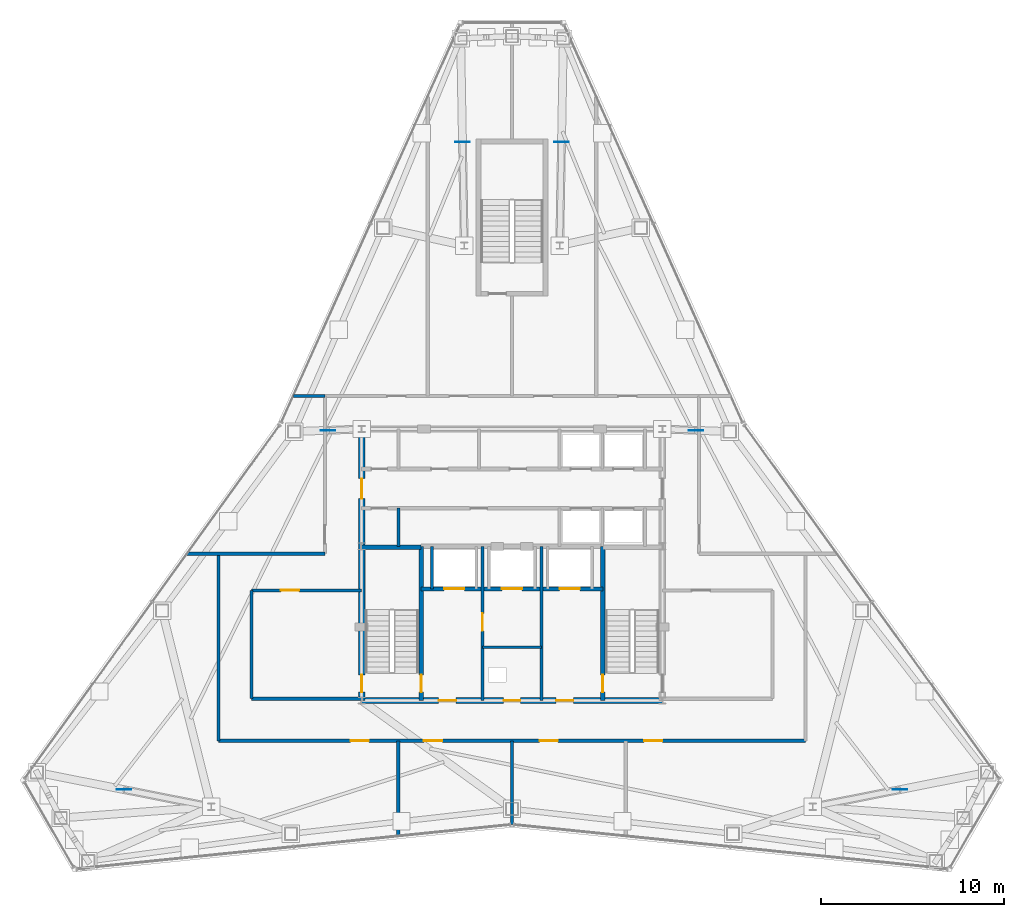
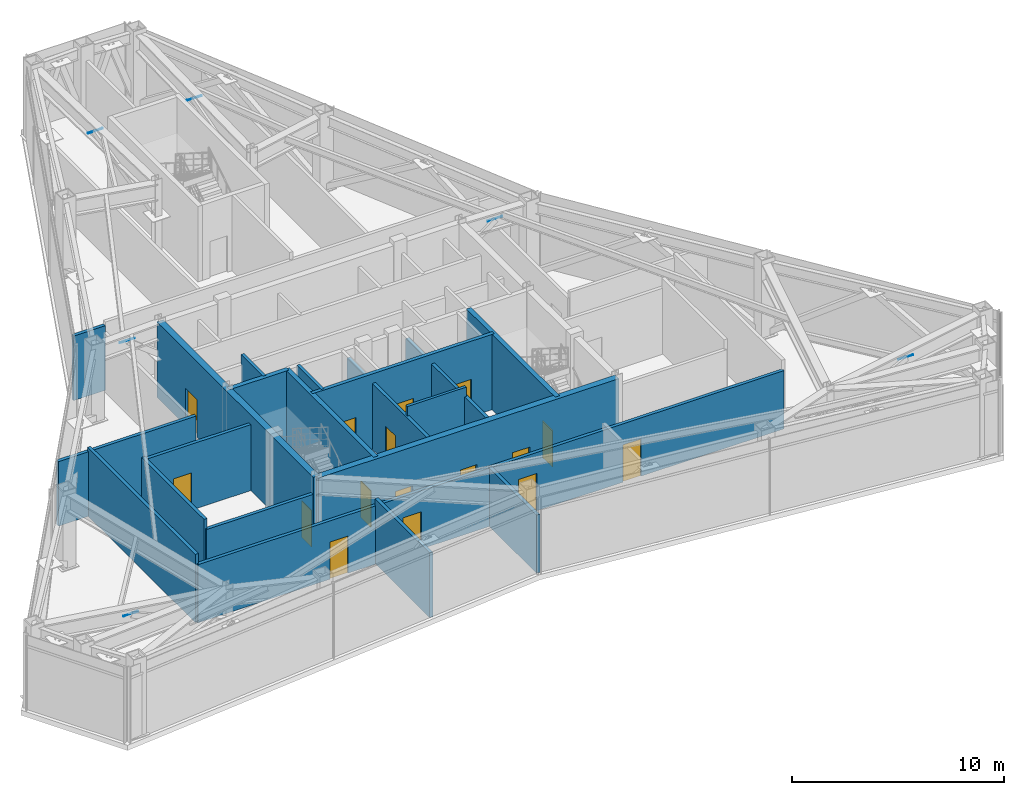
# One storey, part 9 of 12: 20 walls, 16 doors, 6 plates, 16 openings.
"""IFC4 building model written with IfcOpenShell, lengths in metres."""

import ifcopenshell
import ifcopenshell.guid

model = None  # the IFC model being written
_history = None  # IfcOwnerHistory: only IFC2X3 demands one
_inside = {}  # id of a spatial element -> (the spatial element, [elements in it])
_under = {}  # id of a project, library or spatial element -> (it, [spatial elements below it])
_declared = {}  # id of a project -> (the project, [libraries it declares])
_typed = {}  # id of a type object -> (the type object, [elements of that type])
_made_of = {}  # id of a material, layer set ... -> (it, [elements and type objects made of it])


def new_model(schema):
    """Start an empty IFC model of exactly this schema.

    Asked for "IFC4X3", IfcOpenShell would pick the latest addendum, in which some entities
    have other attributes; the version numbers below select the first issue.
    IFC2X3 requires an IfcOwnerHistory on every rooted entity: one is made here for all.
    """
    global model, _history
    if schema == "IFC4X3":
        model = ifcopenshell.file(schema_version=(4, 3, 0, 0))
    else:
        model = ifcopenshell.file(schema=schema)
    _inside.clear()
    _under.clear()
    _declared.clear()
    _typed.clear()
    _made_of.clear()
    _history = None
    if model.schema == "IFC2X3":
        org = make("IfcOrganization", Name="unknown")
        user = make(
            "IfcPersonAndOrganization",
            ThePerson=make("IfcPerson", FamilyName="unknown"),
            TheOrganization=org,
        )
        app = make(
            "IfcApplication",
            ApplicationDeveloper=org,
            Version="unknown",
            ApplicationFullName="unknown",
            ApplicationIdentifier="unknown",
        )
        _history = make(
            "IfcOwnerHistory",
            OwningUser=user,
            OwningApplication=app,
            ChangeAction="ADDED",
            CreationDate=0,
        )
    return model


def make(cls, **values):
    """One entity of the class cls with the attributes given. An attribute that is None is left unset."""
    return model.create_entity(
        cls, **{name: value for name, value in values.items() if value is not None}
    )


def rooted(cls, **values):
    """An entity with a GlobalId (a new one), such as an element, a storey or a relation."""
    return make(cls, GlobalId=ifcopenshell.guid.new(), OwnerHistory=_history, **values)


def si_unit(unit_type, name, prefix=None):
    """IfcSIUnit, for example si_unit("LENGTHUNIT", "METRE", prefix="MILLI")."""
    return make("IfcSIUnit", UnitType=unit_type, Prefix=prefix, Name=name)


def assignment(units):
    """IfcUnitAssignment: the units of a project."""
    return None if units is None else make("IfcUnitAssignment", Units=units)


def point(xyz):
    """IfcCartesianPoint."""
    return None if xyz is None else make("IfcCartesianPoint", Coordinates=xyz)


def direction(xyz):
    """IfcDirection."""
    return None if xyz is None else make("IfcDirection", DirectionRatios=xyz)


def frame(location, z_axis=None, x_axis=None):
    """IfcAxis2Placement3D, a coordinate frame: its origin and axes. An axis left out is left unset."""
    return make(
        "IfcAxis2Placement3D",
        Location=point(location),
        Axis=direction(z_axis),
        RefDirection=direction(x_axis),
    )


def frame_2d(location, x_axis=None):
    """IfcAxis2Placement2D, a coordinate frame in the plane: its origin and x axis."""
    return make(
        "IfcAxis2Placement2D", Location=point(location), RefDirection=direction(x_axis)
    )


def origin():
    """The frame at (0, 0, 0) with its axes left unset."""
    return frame((0.0, 0.0, 0.0))


def origin_2d():
    """The frame at (0, 0) in the plane with its x axis left unset."""
    return frame_2d((0.0, 0.0))


def place(relative_to, where):
    """IfcLocalPlacement: puts the frame where relative to a parent placement (None: the world)."""
    return make(
        "IfcLocalPlacement", PlacementRelTo=relative_to, RelativePlacement=where
    )


def context(
    kind, dimensions, precision=None, world=None, true_north=None, identifier=None
):
    """IfcGeometricRepresentationContext, for example the 3D "Model" context."""
    return make(
        "IfcGeometricRepresentationContext",
        ContextIdentifier=identifier,
        ContextType=kind,
        CoordinateSpaceDimension=dimensions,
        Precision=precision,
        WorldCoordinateSystem=world,
        TrueNorth=true_north,
    )


def subcontext(parent, identifier, kind, view, scale=None):
    """IfcGeometricRepresentationSubContext, for example "Body" below "Model"."""
    return make(
        "IfcGeometricRepresentationSubContext",
        ContextIdentifier=identifier,
        ContextType=kind,
        ParentContext=parent,
        TargetScale=scale,
        TargetView=view,
    )


def project(units=None, contexts=None):
    """IfcProject with its units and contexts."""
    return rooted(
        "IfcProject",
        Name="project",
        RepresentationContexts=contexts,
        UnitsInContext=assignment(units),
    )


def spatial(cls, under=None, at=None, **own):
    """A site, building, storey or space (cls), placed at a placement, below another one or the project."""
    s = rooted(cls, ObjectPlacement=at, **own)
    if under is not None:
        _under.setdefault(under.id(), (under, []))[1].append(s)
    return s


def profile(cls, at=None, kind="AREA", **sizes):
    """A parametric profile (cls). Its sizes go by their IFC names, for example OverallWidth=200.0."""
    return make(cls, ProfileType=kind, Position=at, **sizes)


def rectangle(**sizes):
    """IfcRectangleProfileDef."""
    return profile("IfcRectangleProfileDef", **sizes)


def extrude(swept, where, along, depth):
    """IfcExtrudedAreaSolid: the profile swept, set in the frame where, extruded along a direction by depth."""
    return make(
        "IfcExtrudedAreaSolid",
        SweptArea=swept,
        Position=where,
        ExtrudedDirection=direction(along),
        Depth=depth,
    )


def shape(context_of_items, identifier, shape_type, items):
    """IfcShapeRepresentation: the items that make up one representation, for example the "Body"."""
    return make(
        "IfcShapeRepresentation",
        ContextOfItems=context_of_items,
        RepresentationIdentifier=identifier,
        RepresentationType=shape_type,
        Items=items,
    )


def source(mapping_origin, context_of_items, identifier, shape_type, items):
    """IfcRepresentationMap: a shape defined once, which mapped items show again and again."""
    return make(
        "IfcRepresentationMap",
        MappingOrigin=mapping_origin,
        MappedRepresentation=shape(context_of_items, identifier, shape_type, items),
    )


def transform(
    local_origin,
    x_axis=None,
    y_axis=None,
    z_axis=None,
    scale=None,
    scale2=None,
    scale3=None,
    uniform=True,
):
    """IfcCartesianTransformationOperator3D, or its non-uniform kind. x_axis, y_axis, z_axis: its Axis1, 2, 3."""
    if uniform:
        return make(
            "IfcCartesianTransformationOperator3D",
            Axis1=direction(x_axis),
            Axis2=direction(y_axis),
            LocalOrigin=point(local_origin),
            Scale=scale,
            Axis3=direction(z_axis),
        )
    return make(
        "IfcCartesianTransformationOperator3DnonUniform",
        Axis1=direction(x_axis),
        Axis2=direction(y_axis),
        LocalOrigin=point(local_origin),
        Scale=scale,
        Axis3=direction(z_axis),
        Scale2=scale2,
        Scale3=scale3,
    )


def mapped(mapping_source, mapping_target):
    """IfcMappedItem: shows the shape of a source again, moved by a transform."""
    return make(
        "IfcMappedItem", MappingSource=mapping_source, MappingTarget=mapping_target
    )


def material(Name=None, Category=None):
    """IfcMaterial."""
    return make("IfcMaterial", Name=Name, Category=Category)


def layer(
    of_material, thickness, ventilated=None, Name=None, Category=None, Priority=None
):
    """IfcMaterialLayer: one layer of a wall or slab, of a material (None: an air gap)."""
    return make(
        "IfcMaterialLayer",
        Material=of_material,
        LayerThickness=thickness,
        IsVentilated=ventilated,
        Name=Name,
        Category=Category,
        Priority=Priority,
    )


def layer_set(layers, Name=None):
    """IfcMaterialLayerSet."""
    return make("IfcMaterialLayerSet", MaterialLayers=layers, LayerSetName=Name)


def made_of(thing, what):
    """Note that an element or type object is made of a material, layer set ...; save() writes the relation."""
    if what is not None:
        _made_of.setdefault(what.id(), (what, []))[1].append(thing)
    return thing


def type_object(cls, material=None, **own):
    """A type object (cls), such as IfcWallType, which elements share."""
    return made_of(rooted(cls, **own), material)


def type_shapes(of_type, sources):
    """Give a type object the sources (RepresentationMaps) that its elements show as mapped items."""
    of_type.RepresentationMaps = sources


def element(
    cls,
    number,
    at=None,
    inside=None,
    cuts=None,
    type_object=None,
    material=None,
    context=None,
    identifier="Body",
    shape_type=None,
    held_by="IfcProductDefinitionShape",
    body=None,
    shapes=None,
    **own,
):
    """One element of the class cls, such as IfcWall. Its Tag is "e" and its number.

    at: its placement. inside: the storey or other place that contains it. cuts: it is an
    opening in that element (IfcRelVoidsElement). A single representation is given by context,
    identifier, shape_type and body (its items); several are given by shapes. held_by: the class
    of the entity that holds the representations. save() writes the other relations.
    """
    e = rooted(cls, Tag="e%d" % number, ObjectPlacement=at, **own)
    if body is not None:
        shapes = [shape(context, identifier, shape_type, body)]
    if shapes is not None:
        e.Representation = make(held_by, Representations=shapes)
    if inside is not None:
        _inside.setdefault(inside.id(), (inside, []))[1].append(e)
    if cuts is not None:
        rooted(
            "IfcRelVoidsElement", RelatingBuildingElement=cuts, RelatedOpeningElement=e
        )
    if type_object is not None:
        _typed.setdefault(type_object.id(), (type_object, []))[1].append(e)
    return made_of(e, material)


def fill(opening, filler):
    """IfcRelFillsElement: the door or window that sits in an opening."""
    return rooted(
        "IfcRelFillsElement",
        RelatingOpeningElement=opening,
        RelatedBuildingElement=filler,
    )


def aggregate(whole, parts):
    """IfcRelAggregates: a whole, such as a stair, and the parts it consists of."""
    return rooted("IfcRelAggregates", RelatingObject=whole, RelatedObjects=parts)


def save(model, path):
    """Write the relations noted so far, then the file.

    IfcRelAggregates (storeys below a building ...), IfcRelContainedInSpatialStructure (elements
    in a storey), IfcRelDefinesByType, IfcRelAssociatesMaterial and IfcRelDeclares: one each for
    every whole, place, type object, material and project.
    """
    for whole, parts in _under.values():
        aggregate(whole, parts)
    for where, things in _inside.values():
        rooted(
            "IfcRelContainedInSpatialStructure",
            RelatedElements=things,
            RelatingStructure=where,
        )
    for kind, things in _typed.values():
        rooted("IfcRelDefinesByType", RelatedObjects=things, RelatingType=kind)
    for what, things in _made_of.values():
        rooted("IfcRelAssociatesMaterial", RelatedObjects=things, RelatingMaterial=what)
    for by, libraries in _declared.values():
        rooted("IfcRelDeclares", RelatingContext=by, RelatedDefinitions=libraries)
    model.write(path)


model = new_model("IFC4")

# Units and contexts
model_context = context("Model", 3, precision=1e-05, world=origin(), true_north=direction((0.0, 1.0)))
body_context = subcontext(model_context, "Body", "Model", "MODEL_VIEW")
ifc_project = project(units=[si_unit("LENGTHUNIT", "METRE"), si_unit("AREAUNIT", "SQUARE_METRE"), si_unit("VOLUMEUNIT", "CUBIC_METRE"), si_unit("PLANEANGLEUNIT", "RADIAN"), si_unit("MASSUNIT", "GRAM", prefix="KILO")], contexts=[model_context])

# Site, building, storey
site_placement = place(None, origin())
site = spatial("IfcSite", under=ifc_project, at=site_placement, CompositionType="ELEMENT")
building_placement = place(site_placement, origin())
building = spatial("IfcBuilding", under=site, at=building_placement, Name="Varakhsha Concourse Tower", CompositionType="ELEMENT")
storey_placement = place(building_placement, frame((0.0, 0.0, 250.39990234375)))
storey = spatial("IfcBuildingStorey", under=building, at=storey_placement, Name="L71", CompositionType="ELEMENT", Elevation=250.39990234375)

# Plates
ifc_material_1 = material(Name="Structural Steel ASTM A572 Grade 50", Category="steel")
ifc_layer_1 = layer(ifc_material_1, 0.031982421875, Name="PL-GUSSET-800")
ifc_layer_set_1 = layer_set([ifc_layer_1], Name="Structural Steel ASTM A572 Grade 50")
plate_type = type_object("IfcPlateType", Name="PL-GUSSET-800", PredefinedType="USERDEFINED", material=ifc_layer_set_1)
shared_shape = source(origin(), body_context, "Body", "SweptSolid", [
    extrude(rectangle(XDim=0.800048828125, YDim=0.031982421875, at=origin_2d()), origin(), (0.0, 0.0, 1.0), 0.031982421875),
])
type_shapes(plate_type, [shared_shape])
for number, where, z_axis, x_axis, name in (
    (1, (42.7001953125, 46.844970703125, 3.88427734375), (0.0, 0.0, 1.0), (1.0, 0.0, 0.0), "Hollow Section End Cap GP-L71-01"),
    (2, (37.2998046875, 46.844970703125, 3.88427734375), (0.0, 0.0, 1.0), (1.0, 0.0, 0.0), "Hollow Section End Cap GP-L71-02"),
    (3, (29.962890625, 31.127685546875, 3.88427734375), (0.0, 0.0, 1.0), (1.0, 0.0, 0.0), "Hollow Section End Cap GP-L71-03"),
    (4, (18.85009765625, 11.5400390625, 3.88427734375), (0.0, 0.0, 1.0), (1.0, 0.0, 0.0), "Hollow Section End Cap GP-L71-04"),
    (5, (61.14990234375, 11.5400390625, 3.88427734375), (0.0, 0.0, 1.0), (1.0, 0.0, 0.0), "Hollow Section End Cap GP-L71-08"),
    (6, (50.037109375, 31.127685546875, 3.88427734375), (0.0, 0.0, 1.0), (1.0, 0.0, 0.0), "Hollow Section End Cap GP-L71-09"),
):
    element("IfcPlate", number, at=place(storey_placement, frame(where, z_axis=z_axis, x_axis=x_axis)), inside=storey, type_object=plate_type, Name=name, ObjectType="GUSSET PLATE", PredefinedType="USERDEFINED", context=body_context, shape_type="MappedRepresentation", body=[
        mapped(shared_shape, transform((0.0, 0.0, 0.0), scale=1.0)),
    ])

# Wall, openings, doors
ifc_material_2 = material(Name="Concrete fc 65 MPa", Category="concrete")
ifc_layer_2 = layer(ifc_material_2, 0.35009765625, Name="WL-CORE-350")
ifc_layer_set_2 = layer_set([ifc_layer_2], Name="Concrete fc 65 MPa")
wall_type_1 = type_object("IfcWallType", Name="WL-CORE-350", PredefinedType="SHEAR", material=ifc_layer_set_2)
wall_1_placement = place(storey_placement, frame((31.800048828125, 16.39990234375, 0.0), z_axis=(0.0, 0.0, 1.0), x_axis=(1.0, 0.0, 0.0)))
wall_1 = element("IfcWall", 7, at=wall_1_placement, inside=storey, type_object=wall_type_1, Name="L71 Wall CWALL-S-L71", PredefinedType="SHEAR", context=body_context, shape_type="SweptSolid", body=[
    extrude(rectangle(XDim=16.39990234375, YDim=0.35009765625, at=frame_2d((8.199951171875, 0.0))), origin(), (0.0, 0.0, 1.0), 4.35009765625),
])
opening_1_placement = place(wall_1_placement, frame((7.75, 0.0, 0.0)))
opening_1 = element("IfcOpeningElement", 8, at=opening_1_placement, cuts=wall_1, Name="Opening DF-06", PredefinedType="OPENING", context=body_context, shape_type="SweptSolid", body=[
    extrude(rectangle(XDim=0.89990234375, YDim=2.10009765625, at=frame_2d((0.449951171875, 1.050048828125))), frame((0.0, 0.18505859375, 0.0), z_axis=(0.0, -1.0, 0.0), x_axis=(1.0, 0.0, 0.0)), (0.0, 0.0, 1.0), 0.3701171875),
])
opening_2_placement = place(wall_1_placement, frame((4.199951171875, 0.0, 0.0)))
opening_2 = element("IfcOpeningElement", 9, at=opening_2_placement, cuts=wall_1, Name="Opening DF-05", PredefinedType="OPENING", context=body_context, shape_type="SweptSolid", body=[
    extrude(rectangle(XDim=0.949951171875, YDim=2.10009765625, at=frame_2d((0.47509765625, 1.050048828125))), frame((0.0, 0.18505859375, 0.0), z_axis=(0.0, -1.0, 0.0), x_axis=(1.0, 0.0, 0.0)), (0.0, 0.0, 1.0), 0.3701171875),
])
opening_3_placement = place(wall_1_placement, frame((10.60009765625, 0.0, 0.0)))
opening_3 = element("IfcOpeningElement", 10, at=opening_3_placement, cuts=wall_1, Name="Opening DF-05", PredefinedType="OPENING", context=body_context, shape_type="SweptSolid", body=[
    extrude(rectangle(XDim=0.949951171875, YDim=2.10009765625, at=frame_2d((0.47509765625, 1.050048828125))), frame((0.0, 0.18505859375, 0.0), z_axis=(0.0, -1.0, 0.0), x_axis=(1.0, 0.0, 0.0)), (0.0, 0.0, 1.0), 0.3701171875),
])
ifc_material_3 = material(Name="Hollow Galvanised Steel Fire Door Assembly", Category="steel")
door_type_1 = type_object("IfcDoorType", Name="DR-FD60-900", OperationType="NOTDEFINED", PredefinedType="DOOR", material=ifc_material_3)
door_1_placement = place(opening_1_placement, origin())
door_1 = element("IfcDoor", 11, at=door_1_placement, inside=storey, type_object=door_type_1, Name="L71 Electrical Riser Access Door", OperationType="SINGLE_SWING_LEFT", OverallHeight=2.10009765625, OverallWidth=0.89990234375, PredefinedType="DOOR", context=body_context, shape_type="SweptSolid", body=[
    extrude(rectangle(XDim=0.89990234375, YDim=2.10009765625, at=frame_2d((0.449951171875, 1.050048828125))), frame((0.0, 0.02490234375, 0.0), z_axis=(0.0, -1.0, 0.0), x_axis=(1.0, 0.0, 0.0)), (0.0, 0.0, 1.0), 0.050048828125),
])
fill(opening_1, door_1)
door_type_2 = type_object("IfcDoorType", Name="DR-FD60-950", OperationType="NOTDEFINED", PredefinedType="DOOR", material=ifc_material_3)
door_2_placement = place(opening_2_placement, origin())
door_2 = element("IfcDoor", 12, at=door_2_placement, inside=storey, type_object=door_type_2, Name="L71 Firefighting Lobby West Door", OperationType="SINGLE_SWING_RIGHT", OverallHeight=2.10009765625, OverallWidth=0.949951171875, PredefinedType="DOOR", context=body_context, shape_type="SweptSolid", body=[
    extrude(rectangle(XDim=0.949951171875, YDim=2.10009765625, at=frame_2d((0.47509765625, 1.050048828125))), frame((0.0, 0.02490234375, 0.0), z_axis=(0.0, -1.0, 0.0), x_axis=(1.0, 0.0, 0.0)), (0.0, 0.0, 1.0), 0.050048828125),
])
fill(opening_2, door_2)
door_3_placement = place(opening_3_placement, origin())
door_3 = element("IfcDoor", 13, at=door_3_placement, inside=storey, type_object=door_type_2, Name="L71 Firefighting Lobby East Door", OperationType="SINGLE_SWING_LEFT", OverallHeight=2.10009765625, OverallWidth=0.949951171875, PredefinedType="DOOR", context=body_context, shape_type="SweptSolid", body=[
    extrude(rectangle(XDim=0.949951171875, YDim=2.10009765625, at=frame_2d((0.47509765625, 1.050048828125))), frame((0.0, 0.02490234375, 0.0), z_axis=(0.0, -1.0, 0.0), x_axis=(1.0, 0.0, 0.0)), (0.0, 0.0, 1.0), 0.050048828125),
])
fill(opening_3, door_3)

wall_2_placement = place(storey_placement, frame((31.800048828125, 16.39990234375, 0.0), z_axis=(0.0, 0.0, 1.0), x_axis=(0.0, 1.0, 0.0)))
wall_2 = element("IfcWall", 14, at=wall_2_placement, inside=storey, type_object=wall_type_1, Name="L71 Wall CWALL-W-L71", PredefinedType="SHEAR", context=body_context, shape_type="SweptSolid", body=[
    extrude(rectangle(XDim=14.800048828125, YDim=0.35009765625, at=frame_2d((7.39990234375, 0.0))), origin(), (0.0, 0.0, 1.0), 4.35009765625),
])
opening_4_placement = place(wall_2_placement, frame((11.0, 0.0, 0.0)))
opening_4 = element("IfcOpeningElement", 15, at=opening_4_placement, cuts=wall_2, Name="Opening DL-01", PredefinedType="OPENING", context=body_context, shape_type="SweptSolid", body=[
    extrude(rectangle(XDim=1.10009765625, YDim=2.14990234375, at=frame_2d((0.550048828125, 1.074951171875))), frame((0.0, 0.18505859375, 0.0), z_axis=(0.0, -1.0, 0.0), x_axis=(1.0, 0.0, 0.0)), (0.0, 0.0, 1.0), 0.3701171875),
])
opening_5_placement = place(wall_2_placement, frame((0.449951171875, 0.0, 0.0)))
opening_5 = element("IfcOpeningElement", 16, at=opening_5_placement, cuts=wall_2, Name="Opening DF-03", PredefinedType="OPENING", context=body_context, shape_type="SweptSolid", body=[
    extrude(rectangle(XDim=0.949951171875, YDim=2.10009765625, at=frame_2d((0.47509765625, 1.050048828125))), frame((0.0, 0.18505859375, 0.0), z_axis=(0.0, -1.0, 0.0), x_axis=(1.0, 0.0, 0.0)), (0.0, 0.0, 1.0), 0.3701171875),
])
door_type_3 = type_object("IfcDoorType", Name="DR-FD90-950", OperationType="NOTDEFINED", PredefinedType="DOOR", material=ifc_material_3)
door_4_placement = place(opening_5_placement, origin())
door_4 = element("IfcDoor", 17, at=door_4_placement, inside=storey, type_object=door_type_3, Name="L71 Area of Refuge West Stair ST1 Door", OperationType="SINGLE_SWING_LEFT", OverallHeight=2.10009765625, OverallWidth=0.949951171875, PredefinedType="DOOR", context=body_context, shape_type="SweptSolid", body=[
    extrude(rectangle(XDim=0.949951171875, YDim=2.10009765625, at=frame_2d((0.47509765625, 1.050048828125))), frame((0.0, 0.02490234375, 0.0), z_axis=(0.0, -1.0, 0.0), x_axis=(1.0, 0.0, 0.0)), (0.0, 0.0, 1.0), 0.050048828125),
])
fill(opening_5, door_4)
ifc_material_4 = material(Name="Anodised Bronze Architectural Aluminium AA 6063-T6", Category="aluminium")
door_type_4 = type_object("IfcDoorType", Name="DR-LOB-1100", OperationType="NOTDEFINED", PredefinedType="DOOR", material=ifc_material_4)
door_5_placement = place(opening_4_placement, origin())
door_5 = element("IfcDoor", 18, at=door_5_placement, inside=storey, type_object=door_type_4, Name="L71 Lift Lobby West Concourse Door", OperationType="SINGLE_SWING_LEFT", OverallHeight=2.14990234375, OverallWidth=1.10009765625, PredefinedType="DOOR", context=body_context, shape_type="SweptSolid", body=[
    extrude(rectangle(XDim=1.10009765625, YDim=2.14990234375, at=frame_2d((0.550048828125, 1.074951171875))), frame((0.0, 0.02490234375, 0.0), z_axis=(0.0, -1.0, 0.0), x_axis=(1.0, 0.0, 0.0)), (0.0, 0.0, 1.0), 0.050048828125),
])
fill(opening_4, door_5)

# Wall, opening, door
ifc_material_5 = material(Name="Fire-Rated Type X Gypsum Partition Assembly", Category="gypsum")
ifc_layer_3 = layer(ifc_material_5, 0.179931640625, Name="WL-FFLOB-180")
ifc_layer_set_3 = layer_set([ifc_layer_3], Name="Fire-Rated Type X Gypsum Partition Assembly")
wall_type_2 = type_object("IfcWallType", Name="WL-FFLOB-180", PredefinedType="PARTITIONING", material=ifc_layer_set_3)
wall_3_placement = place(storey_placement, frame((38.389892578125, 16.39990234375, 0.0), z_axis=(0.0, 0.0, 1.0), x_axis=(0.0, 1.0, 0.0)))
wall_3 = element("IfcWall", 19, at=wall_3_placement, inside=storey, type_object=wall_type_2, Name="L71 Wall FFW-1E-L71", PredefinedType="PARTITIONING", context=body_context, shape_type="SweptSolid", body=[
    extrude(rectangle(XDim=8.400146484375, YDim=0.179931640625, at=frame_2d((4.2001953125, 0.0))), origin(), (0.0, 0.0, 1.0), 3.80517578125),
])
opening_6_placement = place(wall_3_placement, frame((3.800048828125, 0.0, 0.0)))
opening_6 = element("IfcOpeningElement", 20, at=opening_6_placement, cuts=wall_3, Name="Opening DF-05", PredefinedType="OPENING", context=body_context, shape_type="SweptSolid", body=[
    extrude(rectangle(XDim=0.949951171875, YDim=2.10009765625, at=frame_2d((0.47509765625, 1.050048828125))), frame((0.0, 0.099853515625, 0.0), z_axis=(0.0, -1.0, 0.0), x_axis=(1.0, 0.0, 0.0)), (0.0, 0.0, 1.0), 0.199951171875),
])
door_6_placement = place(opening_6_placement, origin())
door_6 = element("IfcDoor", 21, at=door_6_placement, inside=storey, type_object=door_type_2, Name="L71 Service Vestibule Door", OperationType="SINGLE_SWING_RIGHT", OverallHeight=2.10009765625, OverallWidth=0.949951171875, PredefinedType="DOOR", context=body_context, shape_type="SweptSolid", body=[
    extrude(rectangle(XDim=0.949951171875, YDim=2.10009765625, at=frame_2d((0.47509765625, 1.050048828125))), frame((0.0, 0.02490234375, 0.0), z_axis=(0.0, -1.0, 0.0), x_axis=(1.0, 0.0, 0.0)), (0.0, 0.0, 1.0), 0.050048828125),
])
fill(opening_6, door_6)

# Walls
wall_4_placement = place(storey_placement, frame((41.610107421875, 16.39990234375, 0.0), z_axis=(0.0, 0.0, 1.0), x_axis=(0.0, 1.0, 0.0)))
element("IfcWall", 22, at=wall_4_placement, inside=storey, type_object=wall_type_2, Name="L71 Wall FFW-2W-L71", PredefinedType="PARTITIONING", context=body_context, shape_type="SweptSolid", body=[
    extrude(rectangle(XDim=8.400146484375, YDim=0.179931640625, at=frame_2d((4.2001953125, 0.0))), origin(), (0.0, 0.0, 1.0), 3.80517578125),
])
ifc_layer_4 = layer(ifc_material_5, 0.14990234375, Name="WL-PART-150")
ifc_layer_set_4 = layer_set([ifc_layer_4], Name="Fire-Rated Type X Gypsum Partition Assembly")
wall_type_3 = type_object("IfcWallType", Name="WL-PART-150", PredefinedType="PARTITIONING", material=ifc_layer_set_4)
wall_5_placement = place(storey_placement, frame((38.389892578125, 19.300048828125, 0.0), z_axis=(0.0, 0.0, 1.0), x_axis=(1.0, 0.0, 0.0)))
element("IfcWall", 23, at=wall_5_placement, inside=storey, type_object=wall_type_3, Name="L71 Wall RSW-H-L71", PredefinedType="PARTITIONING", context=body_context, shape_type="SweptSolid", body=[
    extrude(rectangle(XDim=3.22021484375, YDim=0.14990234375, at=frame_2d((1.610107421875, 0.0))), origin(), (0.0, 0.0, 1.0), 4.35009765625),
])

# Wall, openings, doors
ifc_layer_5 = layer(ifc_material_5, 0.179931640625, Name="WL-PART-180")
ifc_layer_set_5 = layer_set([ifc_layer_5], Name="Fire-Rated Type X Gypsum Partition Assembly")
wall_type_4 = type_object("IfcWallType", Name="WL-PART-180", PredefinedType="PARTITIONING", material=ifc_layer_set_5)
wall_6_placement = place(storey_placement, frame((24.0, 14.199951171875, 0.0), z_axis=(0.0, 0.0, 1.0), x_axis=(1.0, 0.0, 0.0)))
wall_6 = element("IfcWall", 24, at=wall_6_placement, inside=storey, type_object=wall_type_4, Name="L71 Wall PCW-S-L71", PredefinedType="PARTITIONING", context=body_context, shape_type="SweptSolid", body=[
    extrude(rectangle(XDim=32.0, YDim=0.179931640625, at=frame_2d((16.0, 0.0))), origin(), (0.0, 0.0, 1.0), 3.364990234375),
])
opening_7_placement = place(wall_6_placement, frame((7.199951171875, 0.0, 0.0)))
opening_7 = element("IfcOpeningElement", 25, at=opening_7_placement, cuts=wall_6, Name="Opening DF-04", PredefinedType="OPENING", context=body_context, shape_type="SweptSolid", body=[
    extrude(rectangle(XDim=1.0, YDim=2.14990234375, at=frame_2d((0.5, 1.074951171875))), frame((0.0, 0.099853515625, 0.0), z_axis=(0.0, -1.0, 0.0), x_axis=(1.0, 0.0, 0.0)), (0.0, 0.0, 1.0), 0.199951171875),
])
opening_8_placement = place(wall_6_placement, frame((11.199951171875, 0.0, 0.0)))
opening_8 = element("IfcOpeningElement", 26, at=opening_8_placement, cuts=wall_6, Name="Opening DF-04", PredefinedType="OPENING", context=body_context, shape_type="SweptSolid", body=[
    extrude(rectangle(XDim=1.0, YDim=2.14990234375, at=frame_2d((0.5, 1.074951171875))), frame((0.0, 0.099853515625, 0.0), z_axis=(0.0, -1.0, 0.0), x_axis=(1.0, 0.0, 0.0)), (0.0, 0.0, 1.0), 0.199951171875),
])
opening_9_placement = place(wall_6_placement, frame((17.5, 0.0, 0.0)))
opening_9 = element("IfcOpeningElement", 27, at=opening_9_placement, cuts=wall_6, Name="Opening DF-04", PredefinedType="OPENING", context=body_context, shape_type="SweptSolid", body=[
    extrude(rectangle(XDim=1.0, YDim=2.14990234375, at=frame_2d((0.5, 1.074951171875))), frame((0.0, 0.099853515625, 0.0), z_axis=(0.0, -1.0, 0.0), x_axis=(1.0, 0.0, 0.0)), (0.0, 0.0, 1.0), 0.199951171875),
])
opening_10_placement = place(wall_6_placement, frame((23.199951171875, 0.0, 0.0)))
opening_10 = element("IfcOpeningElement", 28, at=opening_10_placement, cuts=wall_6, Name="Opening DF-04", PredefinedType="OPENING", context=body_context, shape_type="SweptSolid", body=[
    extrude(rectangle(XDim=1.0, YDim=2.14990234375, at=frame_2d((0.5, 1.074951171875))), frame((0.0, 0.099853515625, 0.0), z_axis=(0.0, -1.0, 0.0), x_axis=(1.0, 0.0, 0.0)), (0.0, 0.0, 1.0), 0.199951171875),
])
door_type_5 = type_object("IfcDoorType", Name="DR-FD60-1000", OperationType="NOTDEFINED", PredefinedType="DOOR", material=ifc_material_3)
door_7_placement = place(opening_7_placement, origin())
door_7 = element("IfcDoor", 29, at=door_7_placement, inside=storey, type_object=door_type_5, Name="L71 West Chiller and Heat Rejection Plant Room Door", OperationType="SINGLE_SWING_LEFT", OverallHeight=2.14990234375, OverallWidth=1.0, PredefinedType="DOOR", context=body_context, shape_type="SweptSolid", body=[
    extrude(rectangle(XDim=1.0, YDim=2.14990234375, at=frame_2d((0.5, 1.074951171875))), frame((0.0, 0.02490234375, 0.0), z_axis=(0.0, -1.0, 0.0), x_axis=(1.0, 0.0, 0.0)), (0.0, 0.0, 1.0), 0.050048828125),
])
fill(opening_7, door_7)
door_8_placement = place(opening_8_placement, origin())
door_8 = element("IfcDoor", 30, at=door_8_placement, inside=storey, type_object=door_type_5, Name="L71 Central Condenser Pump Plant Room Door", OperationType="SINGLE_SWING_LEFT", OverallHeight=2.14990234375, OverallWidth=1.0, PredefinedType="DOOR", context=body_context, shape_type="SweptSolid", body=[
    extrude(rectangle(XDim=1.0, YDim=2.14990234375, at=frame_2d((0.5, 1.074951171875))), frame((0.0, 0.02490234375, 0.0), z_axis=(0.0, -1.0, 0.0), x_axis=(1.0, 0.0, 0.0)), (0.0, 0.0, 1.0), 0.050048828125),
])
fill(opening_8, door_8)
door_9_placement = place(opening_9_placement, origin())
door_9 = element("IfcDoor", 31, at=door_9_placement, inside=storey, type_object=door_type_5, Name="L71 Heat Recovery Tank Mechanical Plant Room Door", OperationType="SINGLE_SWING_LEFT", OverallHeight=2.14990234375, OverallWidth=1.0, PredefinedType="DOOR", context=body_context, shape_type="SweptSolid", body=[
    extrude(rectangle(XDim=1.0, YDim=2.14990234375, at=frame_2d((0.5, 1.074951171875))), frame((0.0, 0.02490234375, 0.0), z_axis=(0.0, -1.0, 0.0), x_axis=(1.0, 0.0, 0.0)), (0.0, 0.0, 1.0), 0.050048828125),
])
fill(opening_9, door_9)
door_10_placement = place(opening_10_placement, origin())
door_10 = element("IfcDoor", 32, at=door_10_placement, inside=storey, type_object=door_type_5, Name="L71 East Heat Exchanger Mechanical Plant Room Door", OperationType="SINGLE_SWING_LEFT", OverallHeight=2.14990234375, OverallWidth=1.0, PredefinedType="DOOR", context=body_context, shape_type="SweptSolid", body=[
    extrude(rectangle(XDim=1.0, YDim=2.14990234375, at=frame_2d((0.5, 1.074951171875))), frame((0.0, 0.02490234375, 0.0), z_axis=(0.0, -1.0, 0.0), x_axis=(1.0, 0.0, 0.0)), (0.0, 0.0, 1.0), 0.050048828125),
])
fill(opening_10, door_10)

# Walls
wall_7_placement = place(storey_placement, frame((24.0, 14.199951171875, 0.0), z_axis=(0.0, 0.0, 1.0), x_axis=(0.0, 1.0, 0.0)))
element("IfcWall", 33, at=wall_7_placement, inside=storey, type_object=wall_type_4, Name="L71 Wall PCW-WS-L71", PredefinedType="PARTITIONING", context=body_context, shape_type="SweptSolid", body=[
    extrude(rectangle(XDim=10.199951171875, YDim=0.179931640625, at=frame_2d((5.10009765625, 0.0))), origin(), (0.0, 0.0, 1.0), 3.93310546875),
])
wall_8_placement = place(storey_placement, frame((25.800048828125, 16.5, 0.0), z_axis=(0.0, 0.0, 1.0), x_axis=(1.0, 0.0, 0.0)))
element("IfcWall", 34, at=wall_8_placement, inside=storey, type_object=wall_type_4, Name="L71 Wall REFW-WS-L71", PredefinedType="PARTITIONING", context=body_context, shape_type="SweptSolid", body=[
    extrude(rectangle(XDim=6.0, YDim=0.179931640625, at=frame_2d((3.0, 0.0))), origin(), (0.0, 0.0, 1.0), 3.364990234375),
])

# Wall, opening, door
wall_9_placement = place(storey_placement, frame((25.800048828125, 22.39990234375, 0.0), z_axis=(0.0, 0.0, 1.0), x_axis=(1.0, 0.0, 0.0)))
wall_9 = element("IfcWall", 35, at=wall_9_placement, inside=storey, type_object=wall_type_4, Name="L71 Wall REFW-WN-L71", PredefinedType="PARTITIONING", context=body_context, shape_type="SweptSolid", body=[
    extrude(rectangle(XDim=6.0, YDim=0.179931640625, at=frame_2d((3.0, 0.0))), origin(), (0.0, 0.0, 1.0), 3.80517578125),
])
opening_11_placement = place(wall_9_placement, frame((1.60009765625, 0.0, 0.0)))
opening_11 = element("IfcOpeningElement", 36, at=opening_11_placement, cuts=wall_9, Name="Opening DF-04", PredefinedType="OPENING", context=body_context, shape_type="SweptSolid", body=[
    extrude(rectangle(XDim=1.0, YDim=2.14990234375, at=frame_2d((0.5, 1.074951171875))), frame((0.0, 0.099853515625, 0.0), z_axis=(0.0, -1.0, 0.0), x_axis=(1.0, 0.0, 0.0)), (0.0, 0.0, 1.0), 0.199951171875),
])
door_11_placement = place(opening_11_placement, origin())
door_11 = element("IfcDoor", 37, at=door_11_placement, inside=storey, type_object=door_type_5, Name="L71 Area of Refuge West Lobby Door", OperationType="SINGLE_SWING_LEFT", OverallHeight=2.14990234375, OverallWidth=1.0, PredefinedType="DOOR", context=body_context, shape_type="SweptSolid", body=[
    extrude(rectangle(XDim=1.0, YDim=2.14990234375, at=frame_2d((0.5, 1.074951171875))), frame((0.0, 0.02490234375, 0.0), z_axis=(0.0, -1.0, 0.0), x_axis=(1.0, 0.0, 0.0)), (0.0, 0.0, 1.0), 0.050048828125),
])
fill(opening_11, door_11)

# Walls
wall_10_placement = place(storey_placement, frame((25.800048828125, 16.5, 0.0), z_axis=(0.0, 0.0, 1.0), x_axis=(0.0, 1.0, 0.0)))
element("IfcWall", 38, at=wall_10_placement, inside=storey, type_object=wall_type_4, Name="L71 Wall REFW-WW-L71", PredefinedType="PARTITIONING", context=body_context, shape_type="SweptSolid", body=[
    extrude(rectangle(XDim=5.89990234375, YDim=0.179931640625, at=frame_2d((2.949951171875, 0.0))), origin(), (0.0, 0.0, 1.0), 3.93310546875),
])
wall_11_placement = place(storey_placement, frame((22.28466796875, 24.39990234375, 0.0), z_axis=(0.0, 0.0, 1.0), x_axis=(1.0, 0.0, 0.0)))
element("IfcWall", 39, at=wall_11_placement, inside=storey, type_object=wall_type_4, Name="L71 Wall PDIV-WS-L71", PredefinedType="PARTITIONING", context=body_context, shape_type="SweptSolid", body=[
    extrude(rectangle(XDim=7.515380859375, YDim=0.179931640625, at=frame_2d((3.7578125, 0.0))), origin(), (0.0, 0.0, 1.0), 3.72802734375),
])
wall_12_placement = place(storey_placement, frame((28.076171875, 33.0, 0.0), z_axis=(0.0, 0.0, 1.0), x_axis=(1.0, 0.0, 0.0)))
element("IfcWall", 40, at=wall_12_placement, inside=storey, type_object=wall_type_4, Name="L71 Wall PDIV-WN-L71", PredefinedType="PARTITIONING", context=body_context, shape_type="SweptSolid", body=[
    extrude(rectangle(XDim=1.723876953125, YDim=0.179931640625, at=frame_2d((0.86181640625, 0.0))), origin(), (0.0, 0.0, 1.0), 3.72802734375),
])
wall_13_placement = place(storey_placement, frame((33.800048828125, 9.010986328125, 0.0), z_axis=(0.0, 0.0, 1.0), x_axis=(0.0, 1.0, 0.0)))
element("IfcWall", 41, at=wall_13_placement, inside=storey, type_object=wall_type_4, Name="L71 Wall PDIV-S1-L71", PredefinedType="PARTITIONING", context=body_context, shape_type="SweptSolid", body=[
    extrude(rectangle(XDim=5.18896484375, YDim=0.179931640625, at=frame_2d((2.594482421875, 0.0))), origin(), (0.0, 0.0, 1.0), 3.72802734375),
])
wall_14_placement = place(storey_placement, frame((40.0, 9.6416015625, 0.0), z_axis=(0.0, 0.0, 1.0), x_axis=(0.0, 1.0, 0.0)))
element("IfcWall", 42, at=wall_14_placement, inside=storey, type_object=wall_type_4, Name="L71 Wall PDIV-S2-L71", PredefinedType="PARTITIONING", context=body_context, shape_type="SweptSolid", body=[
    extrude(rectangle(XDim=4.558349609375, YDim=0.179931640625, at=frame_2d((2.279296875, 0.0))), origin(), (0.0, 0.0, 1.0), 3.364990234375),
])

# Wall, openings, doors
ifc_layer_6 = layer(ifc_material_5, 0.199951171875, Name="WL-SHAFT-220")
ifc_layer_set_6 = layer_set([ifc_layer_6], Name="Fire-Rated Type X Gypsum Partition Assembly")
wall_type_5 = type_object("IfcWallType", Name="WL-SHAFT-220", PredefinedType="SOLIDWALL", material=ifc_layer_set_6)
wall_15_placement = place(storey_placement, frame((35.044921875, 22.47998046875, 0.0), z_axis=(0.0, 0.0, 1.0), x_axis=(1.0, 0.0, 0.0)))
wall_15 = element("IfcWall", 43, at=wall_15_placement, inside=storey, type_object=wall_type_5, Name="L71 Wall FFW-NH-L71", PredefinedType="SOLIDWALL", context=body_context, shape_type="SweptSolid", body=[
    extrude(rectangle(XDim=9.91015625, YDim=0.199951171875, at=frame_2d((4.955078125, 0.0))), origin(), (0.0, 0.0, 1.0), 4.35009765625),
])
opening_12_placement = place(wall_15_placement, frame((1.2548828125, 0.0, 0.0)))
opening_12 = element("IfcOpeningElement", 44, at=opening_12_placement, cuts=wall_15, Name="Opening LD-FFL-1", PredefinedType="OPENING", context=body_context, shape_type="SweptSolid", body=[
    extrude(rectangle(XDim=1.10009765625, YDim=2.14990234375, at=frame_2d((0.550048828125, 1.074951171875))), frame((0.0, 0.10986328125, 0.0), z_axis=(0.0, -1.0, 0.0), x_axis=(1.0, 0.0, 0.0)), (0.0, 0.0, 1.0), 0.219970703125),
])
opening_13_placement = place(wall_15_placement, frame((7.554931640625, 0.0, 0.0)))
opening_13 = element("IfcOpeningElement", 45, at=opening_13_placement, cuts=wall_15, Name="Opening LD-FFL-2", PredefinedType="OPENING", context=body_context, shape_type="SweptSolid", body=[
    extrude(rectangle(XDim=1.10009765625, YDim=2.14990234375, at=frame_2d((0.550048828125, 1.074951171875))), frame((0.0, 0.10986328125, 0.0), z_axis=(0.0, -1.0, 0.0), x_axis=(1.0, 0.0, 0.0)), (0.0, 0.0, 1.0), 0.219970703125),
])
opening_14_placement = place(wall_15_placement, frame((4.405029296875, 0.0, 0.0)))
opening_14 = element("IfcOpeningElement", 46, at=opening_14_placement, cuts=wall_15, Name="Opening LD-SVL-1", PredefinedType="OPENING", context=body_context, shape_type="SweptSolid", body=[
    extrude(rectangle(XDim=1.10009765625, YDim=2.14990234375, at=frame_2d((0.550048828125, 1.074951171875))), frame((0.0, 0.10986328125, 0.0), z_axis=(0.0, -1.0, 0.0), x_axis=(1.0, 0.0, 0.0)), (0.0, 0.0, 1.0), 0.219970703125),
])
ifc_material_6 = material(Name="Brushed Austenitic Stainless Steel AISI 316", Category="steel")
door_type_6 = type_object("IfcDoorType", Name="DR-LD-1100", OperationType="DOUBLE_DOOR_SLIDING", PredefinedType="DOOR", material=ifc_material_6)
door_12_placement = place(opening_12_placement, origin())
door_12 = element("IfcDoor", 47, at=door_12_placement, inside=storey, type_object=door_type_6, Name="Lift Landing Door FFL-1 L71", OperationType="DOUBLE_DOOR_SLIDING", OverallHeight=2.14990234375, OverallWidth=1.10009765625, PredefinedType="DOOR", context=body_context, shape_type="SweptSolid", body=[
    extrude(rectangle(XDim=1.10009765625, YDim=2.14990234375, at=frame_2d((0.550048828125, 1.074951171875))), frame((0.0, 0.02490234375, 0.0), z_axis=(0.0, -1.0, 0.0), x_axis=(1.0, 0.0, 0.0)), (0.0, 0.0, 1.0), 0.050048828125),
])
fill(opening_12, door_12)
door_13_placement = place(opening_13_placement, origin())
door_13 = element("IfcDoor", 48, at=door_13_placement, inside=storey, type_object=door_type_6, Name="Lift Landing Door FFL-2 L71", OperationType="DOUBLE_DOOR_SLIDING", OverallHeight=2.14990234375, OverallWidth=1.10009765625, PredefinedType="DOOR", context=body_context, shape_type="SweptSolid", body=[
    extrude(rectangle(XDim=1.10009765625, YDim=2.14990234375, at=frame_2d((0.550048828125, 1.074951171875))), frame((0.0, 0.02490234375, 0.0), z_axis=(0.0, -1.0, 0.0), x_axis=(1.0, 0.0, 0.0)), (0.0, 0.0, 1.0), 0.050048828125),
])
fill(opening_13, door_13)
door_14_placement = place(opening_14_placement, origin())
door_14 = element("IfcDoor", 49, at=door_14_placement, inside=storey, type_object=door_type_6, Name="Lift Landing Door SVL-1 L71", OperationType="DOUBLE_DOOR_SLIDING", OverallHeight=2.14990234375, OverallWidth=1.10009765625, PredefinedType="DOOR", context=body_context, shape_type="SweptSolid", body=[
    extrude(rectangle(XDim=1.10009765625, YDim=2.14990234375, at=frame_2d((0.550048828125, 1.074951171875))), frame((0.0, 0.02490234375, 0.0), z_axis=(0.0, -1.0, 0.0), x_axis=(1.0, 0.0, 0.0)), (0.0, 0.0, 1.0), 0.050048828125),
])
fill(opening_14, door_14)

# Walls
wall_16_placement = place(storey_placement, frame((35.64990234375, 22.47998046875, 0.0), z_axis=(0.0, 0.0, 1.0), x_axis=(0.0, 1.0, 0.0)))
element("IfcWall", 50, at=wall_16_placement, inside=storey, type_object=wall_type_5, Name="L71 Wall SHW-FFL-1-W-L71", PredefinedType="SOLIDWALL", context=body_context, shape_type="SweptSolid", body=[
    extrude(rectangle(XDim=2.320068359375, YDim=0.159912109375, at=frame_2d((1.16015625, 0.0))), origin(), (0.0, 0.0, 1.0), 4.35009765625),
])
wall_17_placement = place(storey_placement, frame((33.820068359375, 24.800048828125, 0.0), z_axis=(0.0, 0.0, 1.0), x_axis=(0.0, 1.0, 0.0)))
element("IfcWall", 51, at=wall_17_placement, inside=storey, type_object=wall_type_5, Name="L71 Wall WBOH-E2-L71", PredefinedType="SOLIDWALL", context=body_context, shape_type="SweptSolid", body=[
    extrude(rectangle(XDim=2.079833984375, YDim=0.159912109375, at=frame_2d((1.0400390625, 0.0))), origin(), (0.0, 0.0, 1.0), 4.35009765625),
])

# Wall, opening, door
ifc_material_7 = material(Name="Concrete fc 45 MPa", Category="concrete")
ifc_layer_7 = layer(ifc_material_7, 0.25, Name="WL-STAIR-250")
ifc_layer_set_7 = layer_set([ifc_layer_7], Name="Concrete fc 45 MPa")
wall_type_6 = type_object("IfcWallType", Name="WL-STAIR-250", PredefinedType="SHEAR", material=ifc_layer_set_7)
wall_18_placement = place(storey_placement, frame((35.044921875, 16.39990234375, 0.0), z_axis=(0.0, 0.0, 1.0), x_axis=(0.0, 1.0, 0.0)))
wall_18 = element("IfcWall", 52, at=wall_18_placement, inside=storey, type_object=wall_type_6, Name="L71 Wall SWALL-ST1-E-L71", PredefinedType="SHEAR", context=body_context, shape_type="SweptSolid", body=[
    extrude(rectangle(XDim=8.400146484375, YDim=0.25, at=frame_2d((4.2001953125, 0.0))), origin(), (0.0, 0.0, 1.0), 4.35009765625),
])
opening_15_placement = place(wall_18_placement, frame((0.449951171875, 0.0, 0.0)))
opening_15 = element("IfcOpeningElement", 53, at=opening_15_placement, cuts=wall_18, Name="Opening DF-03", PredefinedType="OPENING", context=body_context, shape_type="SweptSolid", body=[
    extrude(rectangle(XDim=0.949951171875, YDim=2.10009765625, at=frame_2d((0.47509765625, 1.050048828125))), frame((0.0, 0.135009765625, 0.0), z_axis=(0.0, -1.0, 0.0), x_axis=(1.0, 0.0, 0.0)), (0.0, 0.0, 1.0), 0.27001953125),
])
door_15_placement = place(opening_15_placement, origin())
door_15 = element("IfcDoor", 54, at=door_15_placement, inside=storey, type_object=door_type_3, Name="L71 Stair ST1 Fire Door", OperationType="SINGLE_SWING_LEFT", OverallHeight=2.10009765625, OverallWidth=0.949951171875, PredefinedType="DOOR", context=body_context, shape_type="SweptSolid", body=[
    extrude(rectangle(XDim=0.949951171875, YDim=2.10009765625, at=frame_2d((0.47509765625, 1.050048828125))), frame((0.0, 0.02490234375, 0.0), z_axis=(0.0, -1.0, 0.0), x_axis=(1.0, 0.0, 0.0)), (0.0, 0.0, 1.0), 0.050048828125),
])
fill(opening_15, door_15)

# Wall
wall_19_placement = place(storey_placement, frame((31.800048828125, 24.7548828125, 0.0), z_axis=(0.0, 0.0, 1.0), x_axis=(1.0, 0.0, 0.0)))
element("IfcWall", 55, at=wall_19_placement, inside=storey, type_object=wall_type_6, Name="L71 Wall SWALL-ST1-N-L71", PredefinedType="SHEAR", context=body_context, shape_type="SweptSolid", body=[
    extrude(rectangle(XDim=3.244873046875, YDim=0.25, at=frame_2d((1.62255859375, 0.0))), origin(), (0.0, 0.0, 1.0), 4.35009765625),
])

# Wall, opening, door
wall_20_placement = place(storey_placement, frame((44.955078125, 16.39990234375, 0.0), z_axis=(0.0, 0.0, 1.0), x_axis=(0.0, 1.0, 0.0)))
wall_20 = element("IfcWall", 56, at=wall_20_placement, inside=storey, type_object=wall_type_6, Name="L71 Wall SWALL-ST2-W-L71", PredefinedType="SHEAR", context=body_context, shape_type="SweptSolid", body=[
    extrude(rectangle(XDim=8.400146484375, YDim=0.25, at=frame_2d((4.2001953125, 0.0))), origin(), (0.0, 0.0, 1.0), 4.35009765625),
])
opening_16_placement = place(wall_20_placement, frame((0.449951171875, 0.0, 0.0)))
opening_16 = element("IfcOpeningElement", 57, at=opening_16_placement, cuts=wall_20, Name="Opening DF-03", PredefinedType="OPENING", context=body_context, shape_type="SweptSolid", body=[
    extrude(rectangle(XDim=0.949951171875, YDim=2.10009765625, at=frame_2d((0.47509765625, 1.050048828125))), frame((0.0, 0.135009765625, 0.0), z_axis=(0.0, -1.0, 0.0), x_axis=(1.0, 0.0, 0.0)), (0.0, 0.0, 1.0), 0.27001953125),
])
door_16_placement = place(opening_16_placement, origin())
door_16 = element("IfcDoor", 58, at=door_16_placement, inside=storey, type_object=door_type_3, Name="L71 Stair ST2 Fire Door", OperationType="SINGLE_SWING_RIGHT", OverallHeight=2.10009765625, OverallWidth=0.949951171875, PredefinedType="DOOR", context=body_context, shape_type="SweptSolid", body=[
    extrude(rectangle(XDim=0.949951171875, YDim=2.10009765625, at=frame_2d((0.47509765625, 1.050048828125))), frame((0.0, 0.02490234375, 0.0), z_axis=(0.0, -1.0, 0.0), x_axis=(1.0, 0.0, 0.0)), (0.0, 0.0, 1.0), 0.050048828125),
])
fill(opening_16, door_16)

save(model, "model.ifc")
